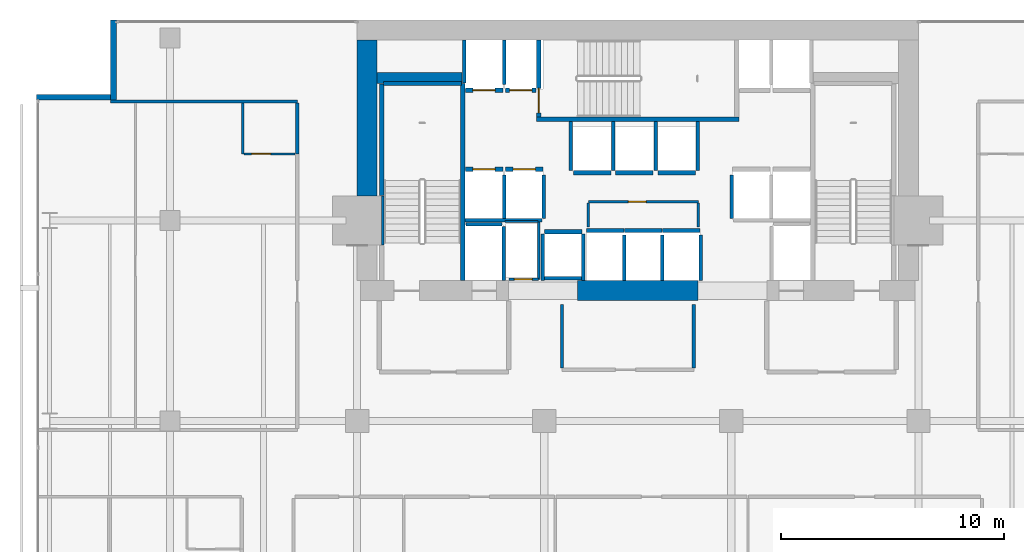
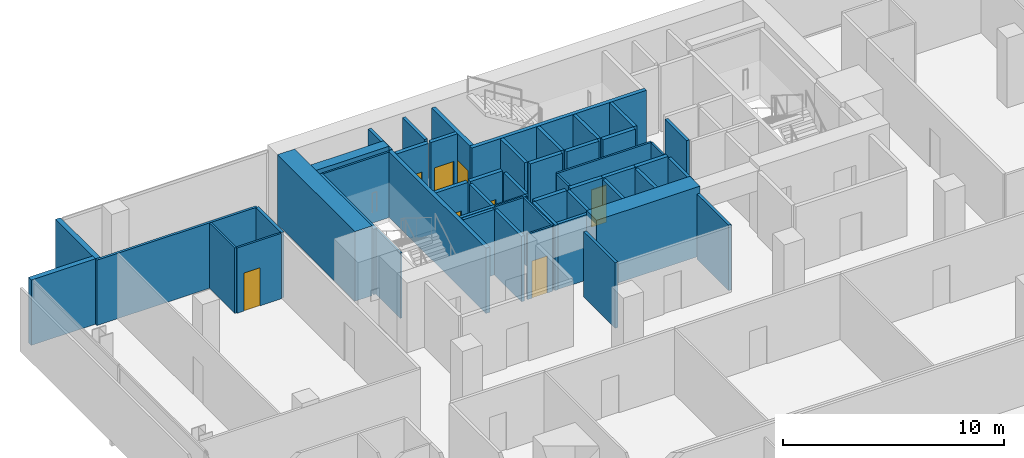
# One storey, part 35 of 39: 52 walls, 8 doors, 8 openings.
"""IFC4 building model written with IfcOpenShell, lengths in metres."""

from ifc_helpers import new_model, si_unit, direction, frame, frame_2d, origin, place, context, subcontext, project, spatial, rectangle, extrude, material, layer, layer_set, type_object, element, fill, save


model = new_model("IFC4")

# Units and contexts
model_context = context("Model", 3, precision=1e-05, world=origin(), true_north=direction((0.0, 1.0)))
body_context = subcontext(model_context, "Body", "Model", "MODEL_VIEW")
ifc_project = project(units=[si_unit("LENGTHUNIT", "METRE"), si_unit("AREAUNIT", "SQUARE_METRE"), si_unit("VOLUMEUNIT", "CUBIC_METRE"), si_unit("PLANEANGLEUNIT", "RADIAN"), si_unit("MASSUNIT", "GRAM", prefix="KILO")], contexts=[model_context])

# Site, building, storey
site_placement = place(None, origin())
site = spatial("IfcSite", under=ifc_project, at=site_placement, CompositionType="ELEMENT")
building_placement = place(site_placement, origin())
building = spatial("IfcBuilding", under=site, at=building_placement, Name="Maruvema Waterfront Hotel and Observation Tower", CompositionType="ELEMENT")
storey_placement = place(building_placement, frame((0.0, 0.0, 65.449951171875)))
storey = spatial("IfcBuildingStorey", under=building, at=storey_placement, Name="L15", CompositionType="ELEMENT", Elevation=65.449951171875)

# Walls
ifc_material_1 = material(Name="Twin-stud acoustic gypsum drywall", Category="gypsum")
ifc_layer_1 = layer(ifc_material_1, 0.14990234375, Name="Acoustic Corridor and Suite Demising Wall 150 mm")
ifc_layer_set_1 = layer_set([ifc_layer_1], Name="Twin-stud acoustic gypsum drywall")
wall_type_1 = type_object("IfcWallType", Name="Acoustic Corridor and Suite Demising Wall 150 mm", PredefinedType="PARTITIONING", material=ifc_layer_set_1)
for number, where, z_axis, x_axis, name in (
    (1, (34.39990234375, 38.3798828125, 0.0), (0.0, 0.0, 1.0), (0.0, 1.0, 0.0), "L15 Core Apron K0 West 014"),
    (2, (40.320068359375, 38.3798828125, 0.0), (0.0, 0.0, 1.0), (0.0, 1.0, 0.0), "L15 Core Apron K0 East 015"),
):
    element("IfcWall", number, at=place(storey_placement, frame(where, z_axis=z_axis, x_axis=x_axis)), inside=storey, type_object=wall_type_1, Name=name, PredefinedType="PARTITIONING", context=body_context, shape_type="SweptSolid", body=[
        extrude(rectangle(XDim=2.840087890625, YDim=0.14990234375, at=frame_2d((1.419921875, 0.0))), origin(), (0.0, 0.0, 1.0), 3.610107421875),
    ])
wall_1_placement = place(storey_placement, frame((22.52001953125, 47.987548828125, 0.0), z_axis=(0.0, 0.0, 1.0), x_axis=(0.0, 1.0, 0.0)))
element("IfcWall", 3, at=wall_1_placement, inside=storey, type_object=wall_type_1, Name="L15 Bath L15-NW1 Wall 085", PredefinedType="PARTITIONING", context=body_context, shape_type="SweptSolid", body=[
    extrude(rectangle(XDim=2.2900390625, YDim=0.14990234375, at=frame_2d((1.14501953125, 0.0))), origin(), (0.0, 0.0, 1.0), 3.610107421875),
])
ifc_material_2 = material(Name="Precast concrete C45/55", Category="concrete")
ifc_layer_2 = layer(ifc_material_2, 0.199951171875, Name="Core Shaft and Stairwell Enclosure Wall 200 mm")
ifc_layer_set_2 = layer_set([ifc_layer_2], Name="Precast concrete C45/55")
wall_type_2 = type_object("IfcWallType", Name="Core Shaft and Stairwell Enclosure Wall 200 mm", PredefinedType="SOLIDWALL", material=ifc_layer_set_2)
wall_2_placement = place(storey_placement, frame((29.949951171875, 42.300048828125, 0.0), z_axis=(0.0, 0.0, 1.0), x_axis=(0.0, 1.0, 0.0)))
element("IfcWall", 4, at=wall_2_placement, inside=storey, type_object=wall_type_2, Name="L15 Stairwell ST-01 East Shaft Wall", PredefinedType="SOLIDWALL", context=body_context, shape_type="SweptSolid", body=[
    extrude(rectangle(XDim=8.849853515625, YDim=0.199951171875, at=frame_2d((4.4248046875, 0.0))), origin(), (0.0, 0.0, 1.0), 3.610107421875),
])
wall_3_placement = place(storey_placement, frame((26.300048828125, 46.1201171875, 0.0), z_axis=(0.0, 0.0, 1.0), x_axis=(0.0, 1.0, 0.0)))
element("IfcWall", 5, at=wall_3_placement, inside=storey, type_object=wall_type_2, Name="L15 Stairwell ST-01 Shaft Lining Wall", PredefinedType="SOLIDWALL", context=body_context, shape_type="SweptSolid", body=[
    extrude(rectangle(XDim=5.0, YDim=0.199951171875, at=frame_2d((2.5, 0.0))), origin(), (0.0, 0.0, 1.0), 3.610107421875),
])
wall_4_placement = place(storey_placement, frame((26.3798828125, 51.14990234375, 0.0), z_axis=(0.0, 0.0, 1.0), x_axis=(1.0, 0.0, 0.0)))
element("IfcWall", 6, at=wall_4_placement, inside=storey, type_object=wall_type_2, Name="L15 Stairwell ST-01 Shaft Lining Wall", PredefinedType="SOLIDWALL", context=body_context, shape_type="SweptSolid", body=[
    extrude(rectangle(XDim=3.5, YDim=0.199951171875, at=frame_2d((1.75, 0.0))), origin(), (0.0, 0.0, 1.0), 3.610107421875),
])
wall_5_placement = place(storey_placement, frame((33.25, 49.550048828125, 0.0), z_axis=(0.0, 0.0, 1.0), x_axis=(1.0, 0.0, 0.0)))
element("IfcWall", 7, at=wall_5_placement, inside=storey, type_object=wall_type_2, Name="L15 Stairwell ST-02 Shaft Wall", PredefinedType="SOLIDWALL", context=body_context, shape_type="SweptSolid", body=[
    extrude(rectangle(XDim=9.10009765625, YDim=0.199951171875, at=frame_2d((4.550048828125, 0.0))), origin(), (0.0, 0.0, 1.0), 3.610107421875),
])

# Wall, opening, door
wall_6_placement = place(storey_placement, frame((33.35009765625, 49.64990234375, 0.0), z_axis=(0.0, 0.0, 1.0), x_axis=(0.0, 1.0, 0.0)))
wall_6 = element("IfcWall", 8, at=wall_6_placement, inside=storey, type_object=wall_type_2, Name="L15 Stairwell ST-02 Shaft Wall", PredefinedType="SOLIDWALL", context=body_context, shape_type="SweptSolid", body=[
    extrude(rectangle(XDim=3.4501953125, YDim=0.199951171875, at=frame_2d((1.72509765625, 0.0))), origin(), (0.0, 0.0, 1.0), 3.610107421875),
])
opening_1_placement = place(wall_6_placement, frame((0.179931640625, 0.0, 0.0)))
opening_1 = element("IfcOpeningElement", 9, at=opening_1_placement, cuts=wall_6, Name="Opening SD-02", PredefinedType="OPENING", context=body_context, shape_type="SweptSolid", body=[
    extrude(rectangle(XDim=1.10009765625, YDim=2.14990234375, at=frame_2d((0.550048828125, 1.074951171875))), frame((0.0, 0.10986328125, 0.0), z_axis=(0.0, -1.0, 0.0), x_axis=(1.0, 0.0, 0.0)), (0.0, 0.0, 1.0), 0.219970703125),
])
ifc_material_3 = material(Name="Fire-rated galvanised steel leaf", Category="steel")
door_type_1 = type_object("IfcDoorType", Name="Central Exit Stair Fire Door 1100x2150 mm", OperationType="NOTDEFINED", PredefinedType="DOOR", material=ifc_material_3)
door_1_placement = place(opening_1_placement, frame((1.10009765625, 0.0, 0.0), z_axis=(0.0, 0.0, 1.0), x_axis=(-1.0, 0.0, 0.0)))
door_1 = element("IfcDoor", 10, at=door_1_placement, inside=storey, type_object=door_type_1, Name="L15 Exit Stair ST-02 Fire Door", OperationType="SINGLE_SWING_LEFT", OverallHeight=2.14990234375, OverallWidth=1.10009765625, PredefinedType="DOOR", context=body_context, shape_type="SweptSolid", body=[
    extrude(rectangle(XDim=1.10009765625, YDim=2.14990234375, at=frame_2d((0.550048828125, 1.074951171875))), frame((0.0, 0.02490234375, 0.0), z_axis=(0.0, -1.0, 0.0), x_axis=(1.0, 0.0, 0.0)), (0.0, 0.0, 1.0), 0.050048828125),
])
fill(opening_1, door_1)

wall_7_placement = place(storey_placement, frame((30.06005859375, 47.300048828125, 0.0), z_axis=(0.0, 0.0, 1.0), x_axis=(1.0, 0.0, 0.0)))
wall_7 = element("IfcWall", 11, at=wall_7_placement, inside=storey, type_object=wall_type_2, Name="L15 Lift LF-01 Hoistway Front Wall", PredefinedType="SOLIDWALL", context=body_context, shape_type="SweptSolid", body=[
    extrude(rectangle(XDim=1.679931640625, YDim=0.199951171875, at=frame_2d((0.83984375, 0.0))), origin(), (0.0, 0.0, 1.0), 3.610107421875),
])
opening_2_placement = place(wall_7_placement, frame((0.340087890625, 0.0, 0.0)))
opening_2 = element("IfcOpeningElement", 12, at=opening_2_placement, cuts=wall_7, Name="Opening LD-01", PredefinedType="OPENING", context=body_context, shape_type="SweptSolid", body=[
    extrude(rectangle(XDim=1.0, YDim=2.14990234375, at=frame_2d((0.5, 1.074951171875))), frame((0.0, 0.10986328125, 0.0), z_axis=(0.0, -1.0, 0.0), x_axis=(1.0, 0.0, 0.0)), (0.0, 0.0, 1.0), 0.219970703125),
])
ifc_material_4 = material(Name="Brushed stainless steel Grade 316", Category="steel")
door_type_2 = type_object("IfcDoorType", Name="Passenger Lift Sliding Landing Door 1000x2150 mm", OperationType="SLIDING_TO_LEFT", PredefinedType="DOOR", material=ifc_material_4)
door_2_placement = place(opening_2_placement, origin())
door_2 = element("IfcDoor", 13, at=door_2_placement, inside=storey, type_object=door_type_2, Name="L15 Lift LF-01 Sliding Landing Door", OperationType="SLIDING_TO_LEFT", OverallHeight=2.14990234375, OverallWidth=1.0, PredefinedType="DOOR", context=body_context, shape_type="SweptSolid", body=[
    extrude(rectangle(XDim=1.0, YDim=2.14990234375, at=frame_2d((0.5, 1.074951171875))), frame((0.0, 0.02490234375, 0.0), z_axis=(0.0, -1.0, 0.0), x_axis=(1.0, 0.0, 0.0)), (0.0, 0.0, 1.0), 0.050048828125),
])
fill(opening_2, door_2)

wall_8_placement = place(storey_placement, frame((31.860107421875, 47.300048828125, 0.0), z_axis=(0.0, 0.0, 1.0), x_axis=(1.0, 0.0, 0.0)))
wall_8 = element("IfcWall", 14, at=wall_8_placement, inside=storey, type_object=wall_type_2, Name="L15 Lift LF-02 Hoistway Front Wall", PredefinedType="SOLIDWALL", context=body_context, shape_type="SweptSolid", body=[
    extrude(rectangle(XDim=1.679931640625, YDim=0.199951171875, at=frame_2d((0.83984375, 0.0))), origin(), (0.0, 0.0, 1.0), 3.610107421875),
])
opening_3_placement = place(wall_8_placement, frame((0.340087890625, 0.0, 0.0)))
opening_3 = element("IfcOpeningElement", 15, at=opening_3_placement, cuts=wall_8, Name="Opening LD-01", PredefinedType="OPENING", context=body_context, shape_type="SweptSolid", body=[
    extrude(rectangle(XDim=1.0, YDim=2.14990234375, at=frame_2d((0.5, 1.074951171875))), frame((0.0, 0.10986328125, 0.0), z_axis=(0.0, -1.0, 0.0), x_axis=(1.0, 0.0, 0.0)), (0.0, 0.0, 1.0), 0.219970703125),
])
door_3_placement = place(opening_3_placement, origin())
door_3 = element("IfcDoor", 16, at=door_3_placement, inside=storey, type_object=door_type_2, Name="L15 Lift LF-02 Sliding Landing Door", OperationType="SLIDING_TO_LEFT", OverallHeight=2.14990234375, OverallWidth=1.0, PredefinedType="DOOR", context=body_context, shape_type="SweptSolid", body=[
    extrude(rectangle(XDim=1.0, YDim=2.14990234375, at=frame_2d((0.5, 1.074951171875))), frame((0.0, 0.02490234375, 0.0), z_axis=(0.0, -1.0, 0.0), x_axis=(1.0, 0.0, 0.0)), (0.0, 0.0, 1.0), 0.050048828125),
])
fill(opening_3, door_3)

wall_9_placement = place(storey_placement, frame((30.06005859375, 50.85009765625, 0.0), z_axis=(0.0, 0.0, 1.0), x_axis=(1.0, 0.0, 0.0)))
wall_9 = element("IfcWall", 17, at=wall_9_placement, inside=storey, type_object=wall_type_2, Name="L15 Lift LF-03 Hoistway Front Wall", PredefinedType="SOLIDWALL", context=body_context, shape_type="SweptSolid", body=[
    extrude(rectangle(XDim=1.679931640625, YDim=0.199951171875, at=frame_2d((0.83984375, 0.0))), origin(), (0.0, 0.0, 1.0), 3.610107421875),
])
opening_4_placement = place(wall_9_placement, frame((0.340087890625, 0.0, 0.0)))
opening_4 = element("IfcOpeningElement", 18, at=opening_4_placement, cuts=wall_9, Name="Opening LD-01", PredefinedType="OPENING", context=body_context, shape_type="SweptSolid", body=[
    extrude(rectangle(XDim=1.0, YDim=2.14990234375, at=frame_2d((0.5, 1.074951171875))), frame((0.0, 0.10986328125, 0.0), z_axis=(0.0, -1.0, 0.0), x_axis=(1.0, 0.0, 0.0)), (0.0, 0.0, 1.0), 0.219970703125),
])
door_4_placement = place(opening_4_placement, frame((1.0, 0.0, 0.0), z_axis=(0.0, 0.0, 1.0), x_axis=(-1.0, 0.0, 0.0)))
door_4 = element("IfcDoor", 19, at=door_4_placement, inside=storey, type_object=door_type_2, Name="L15 Lift LF-03 Sliding Landing Door", OperationType="SLIDING_TO_LEFT", OverallHeight=2.14990234375, OverallWidth=1.0, PredefinedType="DOOR", context=body_context, shape_type="SweptSolid", body=[
    extrude(rectangle(XDim=1.0, YDim=2.14990234375, at=frame_2d((0.5, 1.074951171875))), frame((0.0, 0.02490234375, 0.0), z_axis=(0.0, -1.0, 0.0), x_axis=(1.0, 0.0, 0.0)), (0.0, 0.0, 1.0), 0.050048828125),
])
fill(opening_4, door_4)

wall_10_placement = place(storey_placement, frame((31.860107421875, 50.85009765625, 0.0), z_axis=(0.0, 0.0, 1.0), x_axis=(1.0, 0.0, 0.0)))
wall_10 = element("IfcWall", 20, at=wall_10_placement, inside=storey, type_object=wall_type_2, Name="L15 Lift LF-04 Hoistway Front Wall", PredefinedType="SOLIDWALL", context=body_context, shape_type="SweptSolid", body=[
    extrude(rectangle(XDim=1.3798828125, YDim=0.199951171875, at=frame_2d((0.68994140625, 0.0))), origin(), (0.0, 0.0, 1.0), 3.610107421875),
])
opening_5_placement = place(wall_10_placement, frame((0.18994140625, 0.0, 0.0)))
opening_5 = element("IfcOpeningElement", 21, at=opening_5_placement, cuts=wall_10, Name="Opening LD-01", PredefinedType="OPENING", context=body_context, shape_type="SweptSolid", body=[
    extrude(rectangle(XDim=1.0, YDim=2.14990234375, at=frame_2d((0.5, 1.074951171875))), frame((0.0, 0.10986328125, 0.0), z_axis=(0.0, -1.0, 0.0), x_axis=(1.0, 0.0, 0.0)), (0.0, 0.0, 1.0), 0.219970703125),
])
door_5_placement = place(opening_5_placement, frame((1.0, 0.0, 0.0), z_axis=(0.0, 0.0, 1.0), x_axis=(-1.0, 0.0, 0.0)))
door_5 = element("IfcDoor", 22, at=door_5_placement, inside=storey, type_object=door_type_2, Name="L15 Lift LF-04 Sliding Landing Door", OperationType="SLIDING_TO_LEFT", OverallHeight=2.14990234375, OverallWidth=1.0, PredefinedType="DOOR", context=body_context, shape_type="SweptSolid", body=[
    extrude(rectangle(XDim=1.0, YDim=2.14990234375, at=frame_2d((0.5, 1.074951171875))), frame((0.0, 0.02490234375, 0.0), z_axis=(0.0, -1.0, 0.0), x_axis=(1.0, 0.0, 0.0)), (0.0, 0.0, 1.0), 0.050048828125),
])
fill(opening_5, door_5)

# Walls
for number, where, z_axis, x_axis, name in (
    (23, (35.510009765625, 44.550048828125, 0.0), (0.0, 0.0, 1.0), (1.0, 0.0, 0.0), "L15 Lift LF-09 Hoistway Front Wall"),
    (24, (37.2099609375, 44.550048828125, 0.0), (0.0, 0.0, 1.0), (1.0, 0.0, 0.0), "L15 Lift LF-10 Hoistway Front Wall"),
):
    element("IfcWall", number, at=place(storey_placement, frame(where, z_axis=z_axis, x_axis=x_axis)), inside=storey, type_object=wall_type_2, Name=name, PredefinedType="SOLIDWALL", context=body_context, shape_type="SweptSolid", body=[
        extrude(rectangle(XDim=1.679931640625, YDim=0.199951171875, at=frame_2d((0.83984375, 0.0))), origin(), (0.0, 0.0, 1.0), 3.610107421875),
    ])
for number, where, z_axis, x_axis, name in (
    (25, (38.909912109375, 44.550048828125, 0.0), (0.0, 0.0, 1.0), (1.0, 0.0, 0.0), "L15 Lift LF-11 Hoistway Front Wall"),
    (26, (34.909912109375, 47.14990234375, 0.0), (0.0, 0.0, 1.0), (1.0, 0.0, 0.0), "L15 Lift LF-12 Hoistway Front Wall"),
):
    element("IfcWall", number, at=place(storey_placement, frame(where, z_axis=z_axis, x_axis=x_axis)), inside=storey, type_object=wall_type_2, Name=name, PredefinedType="SOLIDWALL", context=body_context, shape_type="SweptSolid", body=[
        extrude(rectangle(XDim=1.68017578125, YDim=0.199951171875, at=frame_2d((0.840087890625, 0.0))), origin(), (0.0, 0.0, 1.0), 3.610107421875),
    ])
for number, where, z_axis, x_axis, name in (
    (27, (36.81005859375, 47.14990234375, 0.0), (0.0, 0.0, 1.0), (1.0, 0.0, 0.0), "L15 Lift LF-13 Hoistway Front Wall"),
    (28, (38.7099609375, 47.14990234375, 0.0), (0.0, 0.0, 1.0), (1.0, 0.0, 0.0), "L15 Lift LF-14 Hoistway Front Wall"),
    (29, (33.610107421875, 44.5, 0.0), (0.0, 0.0, 1.0), (1.0, 0.0, 0.0), "L15 Lift LF-15 Hoistway Front Wall"),
):
    element("IfcWall", number, at=place(storey_placement, frame(where, z_axis=z_axis, x_axis=x_axis)), inside=storey, type_object=wall_type_2, Name=name, PredefinedType="SOLIDWALL", context=body_context, shape_type="SweptSolid", body=[
        extrude(rectangle(XDim=1.679931640625, YDim=0.199951171875, at=frame_2d((0.83984375, 0.0))), origin(), (0.0, 0.0, 1.0), 3.610107421875),
    ])
ifc_material_5 = material(Name="Concrete C70/85", Category="concrete")
ifc_layer_3 = layer(ifc_material_5, 0.5, Name="Core Shear Wall 500 mm")
ifc_layer_set_3 = layer_set([ifc_layer_3], Name="Concrete C70/85")
wall_type_3 = type_object("IfcWallType", Name="Core Shear Wall 500 mm", PredefinedType="SHEAR", material=ifc_layer_set_3)
wall_11_placement = place(storey_placement, frame((26.10009765625, 51.39990234375, 0.0), z_axis=(0.0, 0.0, 1.0), x_axis=(1.0, 0.0, 0.0)))
element("IfcWall", 30, at=wall_11_placement, inside=storey, type_object=wall_type_3, Name="L15 Internal Core Shear Wall NW 500 mm", PredefinedType="SHEAR", context=body_context, shape_type="SweptSolid", body=[
    extrude(rectangle(XDim=3.7998046875, YDim=0.5, at=frame_2d((1.89990234375, 0.0))), origin(), (0.0, 0.0, 1.0), 3.85009765625),
])
ifc_material_6 = material(Name="Concrete C80/95", Category="concrete")
ifc_layer_4 = layer(ifc_material_6, 0.89990234375, Name="Core Shear Wall 900 mm")
ifc_layer_set_4 = layer_set([ifc_layer_4], Name="Concrete C80/95")
wall_type_4 = type_object("IfcWallType", Name="Core Shear Wall 900 mm", PredefinedType="SHEAR", material=ifc_layer_set_4)
wall_12_placement = place(storey_placement, frame((35.10009765625, 41.85009765625, 0.0), z_axis=(0.0, 0.0, 1.0), x_axis=(1.0, 0.0, 0.0)))
element("IfcWall", 31, at=wall_12_placement, inside=storey, type_object=wall_type_4, Name="L15 South-Central Core Shear Wall", PredefinedType="SHEAR", context=body_context, shape_type="SweptSolid", body=[
    extrude(rectangle(XDim=5.39990234375, YDim=0.89990234375, at=frame_2d((2.699951171875, 0.0))), origin(), (0.0, 0.0, 1.0), 3.85009765625),
])
wall_13_placement = place(storey_placement, frame((25.64990234375, 46.10009765625, 0.0), z_axis=(0.0, 0.0, 1.0), x_axis=(0.0, 1.0, 0.0)))
element("IfcWall", 32, at=wall_13_placement, inside=storey, type_object=wall_type_4, Name="L15 West-North Core Shear Wall", PredefinedType="SHEAR", context=body_context, shape_type="SweptSolid", body=[
    extrude(rectangle(XDim=7.0, YDim=0.89990234375, at=frame_2d((3.5, 0.0))), origin(), (0.0, 0.0, 1.0), 3.85009765625),
])

# Wall, opening, door
ifc_material_7 = material(Name="Moisture-resistant cement-board drywall", Category="gypsum")
ifc_layer_5 = layer(ifc_material_7, 0.10009765625, Name="En-Suite Moisture-Resistant Partition 100 mm")
ifc_layer_set_5 = layer_set([ifc_layer_5], Name="Moisture-resistant cement-board drywall")
wall_type_5 = type_object("IfcWallType", Name="En-Suite Moisture-Resistant Partition 100 mm", PredefinedType="PARTITIONING", material=ifc_layer_set_5)
wall_14_placement = place(storey_placement, frame((32.02001953125, 42.360107421875, 0.0), z_axis=(0.0, 0.0, 1.0), x_axis=(1.0, 0.0, 0.0)))
wall_14 = element("IfcWall", 33, at=wall_14_placement, inside=storey, type_object=wall_type_5, Name="L15 Telecom Riser South Wall 007", PredefinedType="PARTITIONING", context=body_context, shape_type="SweptSolid", body=[
    extrude(rectangle(XDim=1.320068359375, YDim=0.10009765625, at=frame_2d((0.66015625, 0.0))), origin(), (0.0, 0.0, 1.0), 3.610107421875),
])
opening_6_placement = place(wall_14_placement, frame((0.239990234375, 0.0, 0.0)))
opening_6 = element("IfcOpeningElement", 34, at=opening_6_placement, cuts=wall_14, Name="Opening DR-080", PredefinedType="OPENING", context=body_context, shape_type="SweptSolid", body=[
    extrude(rectangle(XDim=0.800048828125, YDim=2.050048828125, at=frame_2d((0.39990234375, 1.02490234375))), frame((0.0, 0.06005859375, 0.0), z_axis=(0.0, -1.0, 0.0), x_axis=(1.0, 0.0, 0.0)), (0.0, 0.0, 1.0), 0.1201171875),
])
ifc_material_8 = material(Name="Powder-coated steel access leaf", Category="steel")
door_type_3 = type_object("IfcDoorType", Name="Riser and Service Cupboard Door 800x2050 mm", OperationType="NOTDEFINED", PredefinedType="DOOR", material=ifc_material_8)
door_6_placement = place(opening_6_placement, frame((0.800048828125, 0.0, 0.0), z_axis=(0.0, 0.0, 1.0), x_axis=(-1.0, 0.0, 0.0)))
door_6 = element("IfcDoor", 35, at=door_6_placement, inside=storey, type_object=door_type_3, Name="L15 Telecom Riser Door", OperationType="SINGLE_SWING_LEFT", OverallHeight=2.050048828125, OverallWidth=0.800048828125, PredefinedType="DOOR", context=body_context, shape_type="SweptSolid", body=[
    extrude(rectangle(XDim=0.800048828125, YDim=2.050048828125, at=frame_2d((0.39990234375, 1.02490234375))), frame((0.0, 0.02490234375, 0.0), z_axis=(0.0, -1.0, 0.0), x_axis=(1.0, 0.0, 0.0)), (0.0, 0.0, 1.0), 0.050048828125),
])
fill(opening_6, door_6)

# Walls
wall_15_placement = place(storey_placement, frame((31.840087890625, 44.9599609375, 0.0), z_axis=(0.0, 0.0, 1.0), x_axis=(1.0, 0.0, 0.0)))
element("IfcWall", 36, at=wall_15_placement, inside=storey, type_object=wall_type_5, Name="L15 Telecom Riser North Wall 008", PredefinedType="PARTITIONING", context=body_context, shape_type="SweptSolid", body=[
    extrude(rectangle(XDim=1.47998046875, YDim=0.10009765625, at=frame_2d((0.739990234375, 0.0))), origin(), (0.0, 0.0, 1.0), 3.610107421875),
])
wall_16_placement = place(storey_placement, frame((33.360107421875, 42.360107421875, 0.0), z_axis=(0.0, 0.0, 1.0), x_axis=(0.0, 1.0, 0.0)))
element("IfcWall", 37, at=wall_16_placement, inside=storey, type_object=wall_type_5, Name="L15 Telecom Riser East Wall 009", PredefinedType="PARTITIONING", context=body_context, shape_type="SweptSolid", body=[
    extrude(rectangle(XDim=2.579833984375, YDim=0.10009765625, at=frame_2d((1.2900390625, 0.0))), origin(), (0.0, 0.0, 1.0), 3.610107421875),
])

# Wall, opening, door
wall_17_placement = place(storey_placement, frame((35.580078125, 45.840087890625, 0.0), z_axis=(0.0, 0.0, 1.0), x_axis=(1.0, 0.0, 0.0)))
wall_17 = element("IfcWall", 38, at=wall_17_placement, inside=storey, type_object=wall_type_5, Name="L15 Core Closet K0 North 010", PredefinedType="PARTITIONING", context=body_context, shape_type="SweptSolid", body=[
    extrude(rectangle(XDim=4.93994140625, YDim=0.10009765625, at=frame_2d((2.469970703125, 0.0))), origin(), (0.0, 0.0, 1.0), 3.610107421875),
])
opening_7_placement = place(wall_17_placement, frame((1.800048828125, 0.0, 0.0)))
opening_7 = element("IfcOpeningElement", 39, at=opening_7_placement, cuts=wall_17, Name="Opening DR-080", PredefinedType="OPENING", context=body_context, shape_type="SweptSolid", body=[
    extrude(rectangle(XDim=0.800048828125, YDim=2.050048828125, at=frame_2d((0.39990234375, 1.02490234375))), frame((0.0, 0.06005859375, 0.0), z_axis=(0.0, -1.0, 0.0), x_axis=(1.0, 0.0, 0.0)), (0.0, 0.0, 1.0), 0.1201171875),
])
door_7_placement = place(opening_7_placement, origin())
door_7 = element("IfcDoor", 40, at=door_7_placement, inside=storey, type_object=door_type_3, Name="L15 Core Electrical Closet Door", OperationType="SINGLE_SWING_RIGHT", OverallHeight=2.050048828125, OverallWidth=0.800048828125, PredefinedType="DOOR", context=body_context, shape_type="SweptSolid", body=[
    extrude(rectangle(XDim=0.800048828125, YDim=2.050048828125, at=frame_2d((0.39990234375, 1.02490234375))), frame((0.0, 0.02490234375, 0.0), z_axis=(0.0, -1.0, 0.0), x_axis=(1.0, 0.0, 0.0)), (0.0, 0.0, 1.0), 0.050048828125),
])
fill(opening_7, door_7)

# Walls
for number, where, z_axis, x_axis, name in (
    (41, (35.580078125, 44.699951171875, 0.0), (0.0, 0.0, 1.0), (0.0, 1.0, 0.0), "L15 Core Closet K0 West 011"),
    (42, (40.52001953125, 44.699951171875, 0.0), (0.0, 0.0, 1.0), (0.0, 1.0, 0.0), "L15 Core Closet K0 East 012"),
):
    element("IfcWall", number, at=place(storey_placement, frame(where, z_axis=z_axis, x_axis=x_axis)), inside=storey, type_object=wall_type_5, Name=name, PredefinedType="PARTITIONING", context=body_context, shape_type="SweptSolid", body=[
        extrude(rectangle(XDim=1.080078125, YDim=0.10009765625, at=frame_2d((0.5400390625, 0.0))), origin(), (0.0, 0.0, 1.0), 3.610107421875),
    ])
wall_18_placement = place(storey_placement, frame((20.070068359375, 47.987548828125, 0.0), z_axis=(0.0, 0.0, 1.0), x_axis=(0.0, 1.0, 0.0)))
element("IfcWall", 43, at=wall_18_placement, inside=storey, type_object=wall_type_5, Name="L15 En-Suite L15-NW1 W 086", PredefinedType="PARTITIONING", context=body_context, shape_type="SweptSolid", body=[
    extrude(rectangle(XDim=2.2900390625, YDim=0.10009765625, at=frame_2d((1.14501953125, 0.0))), origin(), (0.0, 0.0, 1.0), 3.610107421875),
])

# Wall, opening, door
wall_19_placement = place(storey_placement, frame((20.1201171875, 47.987548828125, 0.0), z_axis=(0.0, 0.0, 1.0), x_axis=(1.0, 0.0, 0.0)))
wall_19 = element("IfcWall", 44, at=wall_19_placement, inside=storey, type_object=wall_type_5, Name="L15 En-Suite L15-NW1 S 087", PredefinedType="PARTITIONING", context=body_context, shape_type="SweptSolid", body=[
    extrude(rectangle(XDim=2.2998046875, YDim=0.10009765625, at=frame_2d((1.14990234375, 0.0))), origin(), (0.0, 0.0, 1.0), 3.610107421875),
])
opening_8_placement = place(wall_19_placement, frame((0.35009765625, 0.0, 0.0)))
opening_8 = element("IfcOpeningElement", 45, at=opening_8_placement, cuts=wall_19, Name="Opening DR-085", PredefinedType="OPENING", context=body_context, shape_type="SweptSolid", body=[
    extrude(rectangle(XDim=0.85009765625, YDim=2.10009765625, at=frame_2d((0.425048828125, 1.050048828125))), frame((0.0, 0.06005859375, 0.0), z_axis=(0.0, -1.0, 0.0), x_axis=(1.0, 0.0, 0.0)), (0.0, 0.0, 1.0), 0.1201171875),
])
ifc_material_9 = material(Name="Moisture-resistant solid timber leaf", Category="wood")
door_type_4 = type_object("IfcDoorType", Name="En-Suite Bathroom Door 850x2100 mm", OperationType="NOTDEFINED", PredefinedType="DOOR", material=ifc_material_9)
door_8_placement = place(opening_8_placement, frame((0.85009765625, 0.0, 0.0), z_axis=(0.0, 0.0, 1.0), x_axis=(-1.0, 0.0, 0.0)))
door_8 = element("IfcDoor", 46, at=door_8_placement, inside=storey, type_object=door_type_4, Name="L15 En-Suite L15-NW1 Door", OperationType="SINGLE_SWING_LEFT", OverallHeight=2.10009765625, OverallWidth=0.85009765625, PredefinedType="DOOR", context=body_context, shape_type="SweptSolid", body=[
    extrude(rectangle(XDim=0.85009765625, YDim=2.10009765625, at=frame_2d((0.425048828125, 1.050048828125))), frame((0.0, 0.02490234375, 0.0), z_axis=(0.0, -1.0, 0.0), x_axis=(1.0, 0.0, 0.0)), (0.0, 0.0, 1.0), 0.050048828125),
])
fill(opening_8, door_8)

# Walls
ifc_material_10 = material(Name="Precast concrete C45/55 with honed Pernambuco granite facing", Category="masonry")
ifc_layer_6 = layer(ifc_material_10, 0.260009765625, Name="Exterior Granite Clad Spandrel and Pier Wall 260 mm")
ifc_layer_set_6 = layer_set([ifc_layer_6], Name="Precast concrete C45/55 with honed Pernambuco granite facing")
wall_type_6 = type_object("IfcWallType", Name="Exterior Granite Clad Spandrel and Pier Wall 260 mm", PredefinedType="SOLIDWALL", material=ifc_layer_set_6)
wall_20_placement = place(storey_placement, frame((14.27001953125, 50.39990234375, 0.0), z_axis=(0.0, 0.0, 1.0), x_axis=(0.0, 1.0, 0.0)))
element("IfcWall", 47, at=wall_20_placement, inside=storey, type_object=wall_type_6, Name="L15 Corner Notch Granite Pier Wall NW1", PredefinedType="SOLIDWALL", context=body_context, shape_type="SweptSolid", body=[
    extrude(rectangle(XDim=3.60009765625, YDim=0.260009765625, at=frame_2d((1.800048828125, 0.0))), origin(), (0.0, 0.0, 1.0), 3.610107421875),
])
wall_21_placement = place(storey_placement, frame((10.800048828125, 50.530029296875, 0.0), z_axis=(0.0, 0.0, 1.0), x_axis=(1.0, 0.0, 0.0)))
element("IfcWall", 48, at=wall_21_placement, inside=storey, type_object=wall_type_6, Name="L15 Corner Notch Granite Pier Wall NW2", PredefinedType="SOLIDWALL", context=body_context, shape_type="SweptSolid", body=[
    extrude(rectangle(XDim=3.599853515625, YDim=0.260009765625, at=frame_2d((1.7998046875, 0.0))), origin(), (0.0, 0.0, 1.0), 3.610107421875),
])
ifc_material_11 = material(Name="Acoustic gypsum plasterboard drywall", Category="gypsum")
ifc_layer_7 = layer(ifc_material_11, 0.125, Name="Guestroom Acoustic Demising Wall 125 mm")
ifc_layer_set_7 = layer_set([ifc_layer_7], Name="Acoustic gypsum plasterboard drywall")
wall_type_7 = type_object("IfcWallType", Name="Guestroom Acoustic Demising Wall 125 mm", PredefinedType="PARTITIONING", material=ifc_layer_set_7)
wall_22_placement = place(storey_placement, frame((14.139892578125, 50.33740234375, 0.0), z_axis=(0.0, 0.0, 1.0), x_axis=(1.0, 0.0, 0.0)))
element("IfcWall", 49, at=wall_22_placement, inside=storey, type_object=wall_type_7, Name="L15 NW Top End 082", PredefinedType="PARTITIONING", context=body_context, shape_type="SweptSolid", body=[
    extrude(rectangle(XDim=8.380126953125, YDim=0.125, at=frame_2d((4.18994140625, 0.0))), origin(), (0.0, 0.0, 1.0), 3.610107421875),
])
ifc_material_12 = material(Name="Precast concrete C45/55", Category="concrete")
ifc_layer_8 = layer(ifc_material_12, 0.159912109375, Name="Lift Hoistway Divider Wall 160 mm")
ifc_layer_set_8 = layer_set([ifc_layer_8], Name="Precast concrete C45/55")
wall_type_8 = type_object("IfcWallType", Name="Lift Hoistway Divider Wall 160 mm", PredefinedType="SOLIDWALL", material=ifc_layer_set_8)
wall_23_placement = place(storey_placement, frame((30.10009765625, 44.830078125, 0.0), z_axis=(0.0, 0.0, 1.0), x_axis=(1.0, 0.0, 0.0)))
element("IfcWall", 50, at=wall_23_placement, inside=storey, type_object=wall_type_8, Name="L15 Lift FL-01 Rear Hoistway Wall", PredefinedType="SOLIDWALL", context=body_context, shape_type="SweptSolid", body=[
    extrude(rectangle(XDim=1.599853515625, YDim=0.159912109375, at=frame_2d((0.7998046875, 0.0))), origin(), (0.0, 0.0, 1.0), 3.610107421875),
])
wall_24_placement = place(storey_placement, frame((31.780029296875, 42.300048828125, 0.0), z_axis=(0.0, 0.0, 1.0), x_axis=(0.0, 1.0, 0.0)))
element("IfcWall", 51, at=wall_24_placement, inside=storey, type_object=wall_type_8, Name="L15 Lift FL-01 Inner Hoistway Wall", PredefinedType="SOLIDWALL", context=body_context, shape_type="SweptSolid", body=[
    extrude(rectangle(XDim=2.43994140625, YDim=0.159912109375, at=frame_2d((1.219970703125, 0.0))), origin(), (0.0, 0.0, 1.0), 3.610107421875),
])
for number, where, z_axis, x_axis, name in (
    (52, (31.800048828125, 45.10009765625, 0.0), (0.0, 0.0, 1.0), (0.0, 1.0, 0.0), "L15 Hoistway Divider Wall"),
    (53, (33.580078125, 45.10009765625, 0.0), (0.0, 0.0, 1.0), (0.0, 1.0, 0.0), "L15 Hoistway Divider Wall"),
):
    element("IfcWall", number, at=place(storey_placement, frame(where, z_axis=z_axis, x_axis=x_axis)), inside=storey, type_object=wall_type_8, Name=name, PredefinedType="SOLIDWALL", context=body_context, shape_type="SweptSolid", body=[
        extrude(rectangle(XDim=1.949951171875, YDim=0.159912109375, at=frame_2d((0.97509765625, 0.0))), origin(), (0.0, 0.0, 1.0), 3.610107421875),
    ])
wall_25_placement = place(storey_placement, frame((30.050048828125, 45.010009765625, 0.0), z_axis=(0.0, 0.0, 1.0), x_axis=(1.0, 0.0, 0.0)))
element("IfcWall", 54, at=wall_25_placement, inside=storey, type_object=wall_type_8, Name="L15 Hoistway Divider Wall", PredefinedType="SOLIDWALL", context=body_context, shape_type="SweptSolid", body=[
    extrude(rectangle(XDim=3.449951171875, YDim=0.159912109375, at=frame_2d((1.72509765625, 0.0))), origin(), (0.0, 0.0, 1.0), 3.610107421875),
])
wall_26_placement = place(storey_placement, frame((30.010009765625, 51.179931640625, 0.0), z_axis=(0.0, 0.0, 1.0), x_axis=(0.0, 1.0, 0.0)))
element("IfcWall", 55, at=wall_26_placement, inside=storey, type_object=wall_type_8, Name="L15 Hoistway Divider Wall", PredefinedType="SOLIDWALL", context=body_context, shape_type="SweptSolid", body=[
    extrude(rectangle(XDim=1.920166015625, YDim=0.159912109375, at=frame_2d((0.9599609375, 0.0))), origin(), (0.0, 0.0, 1.0), 3.610107421875),
])
wall_27_placement = place(storey_placement, frame((31.800048828125, 51.10009765625, 0.0), z_axis=(0.0, 0.0, 1.0), x_axis=(0.0, 1.0, 0.0)))
element("IfcWall", 56, at=wall_27_placement, inside=storey, type_object=wall_type_8, Name="L15 Hoistway Divider Wall", PredefinedType="SOLIDWALL", context=body_context, shape_type="SweptSolid", body=[
    extrude(rectangle(XDim=2.0, YDim=0.159912109375, at=frame_2d((1.0, 0.0))), origin(), (0.0, 0.0, 1.0), 3.610107421875),
])
wall_28_placement = place(storey_placement, frame((42.02001953125, 45.10009765625, 0.0), z_axis=(0.0, 0.0, 1.0), x_axis=(0.0, 1.0, 0.0)))
element("IfcWall", 57, at=wall_28_placement, inside=storey, type_object=wall_type_8, Name="L15 Hoistway Divider Wall", PredefinedType="SOLIDWALL", context=body_context, shape_type="SweptSolid", body=[
    extrude(rectangle(XDim=1.949951171875, YDim=0.159912109375, at=frame_2d((0.97509765625, 0.0))), origin(), (0.0, 0.0, 1.0), 3.610107421875),
])
for number, where, z_axis, x_axis, name in (
    (58, (37.199951171875, 42.300048828125, 0.0), (0.0, 0.0, 1.0), (0.0, 1.0, 0.0), "L15 Hoistway Divider Wall"),
    (59, (38.89990234375, 42.300048828125, 0.0), (0.0, 0.0, 1.0), (0.0, 1.0, 0.0), "L15 Hoistway Divider Wall"),
    (60, (40.6201171875, 42.300048828125, 0.0), (0.0, 0.0, 1.0), (0.0, 1.0, 0.0), "L15 Hoistway Divider Wall"),
):
    element("IfcWall", number, at=place(storey_placement, frame(where, z_axis=z_axis, x_axis=x_axis)), inside=storey, type_object=wall_type_8, Name=name, PredefinedType="SOLIDWALL", context=body_context, shape_type="SweptSolid", body=[
        extrude(rectangle(XDim=2.050048828125, YDim=0.159912109375, at=frame_2d((1.02490234375, 0.0))), origin(), (0.0, 0.0, 1.0), 3.610107421875),
    ])
for number, where, z_axis, x_axis, name in (
    (61, (34.800048828125, 47.25, 0.0), (0.0, 0.0, 1.0), (0.0, 1.0, 0.0), "L15 Hoistway Divider Wall"),
    (62, (36.699951171875, 47.25, 0.0), (0.0, 0.0, 1.0), (0.0, 1.0, 0.0), "L15 Hoistway Divider Wall"),
    (63, (38.60009765625, 47.25, 0.0), (0.0, 0.0, 1.0), (0.0, 1.0, 0.0), "L15 Hoistway Divider Wall"),
    (64, (40.5, 47.25, 0.0), (0.0, 0.0, 1.0), (0.0, 1.0, 0.0), "L15 Hoistway Divider Wall"),
):
    element("IfcWall", number, at=place(storey_placement, frame(where, z_axis=z_axis, x_axis=x_axis)), inside=storey, type_object=wall_type_8, Name=name, PredefinedType="SOLIDWALL", context=body_context, shape_type="SweptSolid", body=[
        extrude(rectangle(XDim=2.18994140625, YDim=0.159912109375, at=frame_2d((1.094970703125, 0.0))), origin(), (0.0, 0.0, 1.0), 3.610107421875),
    ])
for number, where, z_axis, x_axis, name in (
    (65, (33.5400390625, 42.300048828125, 0.0), (0.0, 0.0, 1.0), (0.0, 1.0, 0.0), "L15 Hoistway Divider Wall"),
    (66, (35.360107421875, 42.300048828125, 0.0), (0.0, 0.0, 1.0), (0.0, 1.0, 0.0), "L15 Hoistway Divider Wall"),
):
    element("IfcWall", number, at=place(storey_placement, frame(where, z_axis=z_axis, x_axis=x_axis)), inside=storey, type_object=wall_type_8, Name=name, PredefinedType="SOLIDWALL", context=body_context, shape_type="SweptSolid", body=[
        extrude(rectangle(XDim=2.099853515625, YDim=0.159912109375, at=frame_2d((1.0498046875, 0.0))), origin(), (0.0, 0.0, 1.0), 3.610107421875),
    ])
wall_29_placement = place(storey_placement, frame((33.6201171875, 42.39990234375, 0.0), z_axis=(0.0, 0.0, 1.0), x_axis=(1.0, 0.0, 0.0)))
element("IfcWall", 67, at=wall_29_placement, inside=storey, type_object=wall_type_8, Name="L15 Hoistway Divider Wall", PredefinedType="SOLIDWALL", context=body_context, shape_type="SweptSolid", body=[
    extrude(rectangle(XDim=1.659912109375, YDim=0.159912109375, at=frame_2d((0.830078125, 0.0))), origin(), (0.0, 0.0, 1.0), 3.610107421875),
])
ifc_material_13 = material(Name="Precast concrete C45/55", Category="concrete")
ifc_layer_9 = layer(ifc_material_13, 0.10009765625, Name="Stairwell Stringer Cheek Wall 100 mm")
ifc_layer_set_9 = layer_set([ifc_layer_9], Name="Precast concrete C45/55")
wall_type_9 = type_object("IfcWallType", Name="Stairwell Stringer Cheek Wall 100 mm", PredefinedType="SOLIDWALL", material=ifc_layer_set_9)
wall_30_placement = place(storey_placement, frame((26.35205078125, 43.89990234375, 0.0), z_axis=(0.0, 0.0, 1.0), x_axis=(0.0, 1.0, 0.0)))
element("IfcWall", 68, at=wall_30_placement, inside=storey, type_object=wall_type_9, Name="L15 Stairwell ST-01 Mega-Column Cheek Wall", PredefinedType="SOLIDWALL", context=body_context, shape_type="SweptSolid", body=[
    extrude(rectangle(XDim=2.2001953125, YDim=0.10009765625, at=frame_2d((1.10009765625, 0.0))), origin(), (0.0, 0.0, 1.0), 3.610107421875),
])

save(model, "model.ifc")
